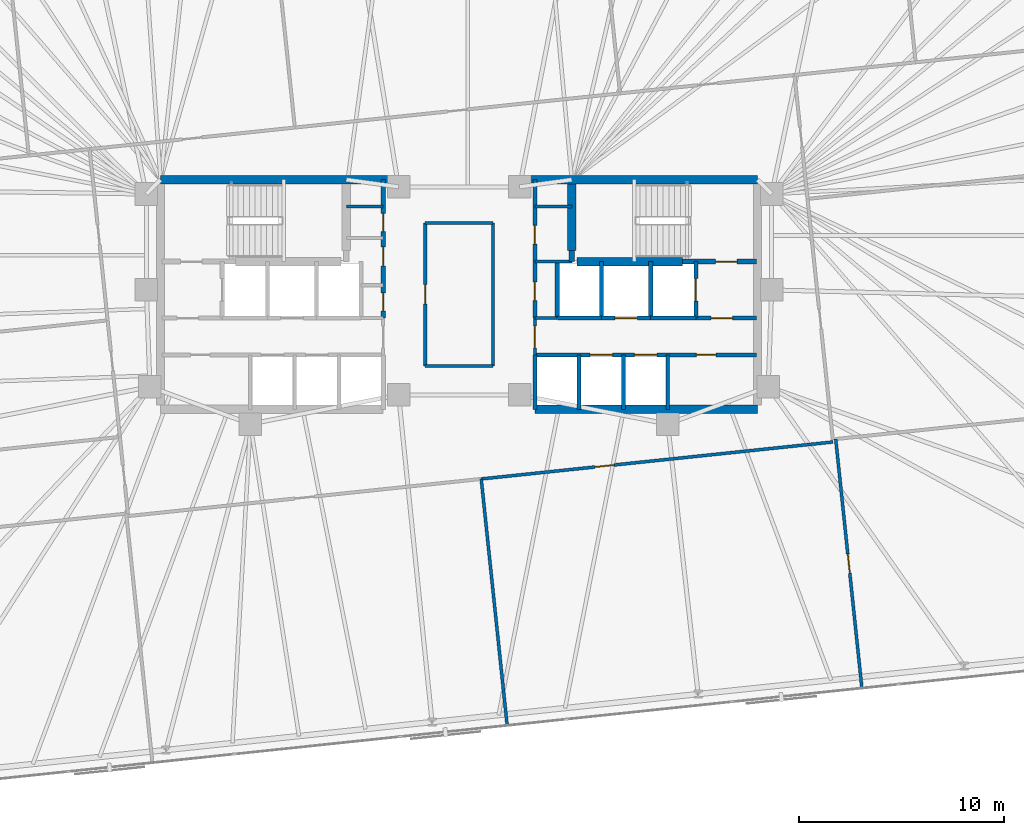
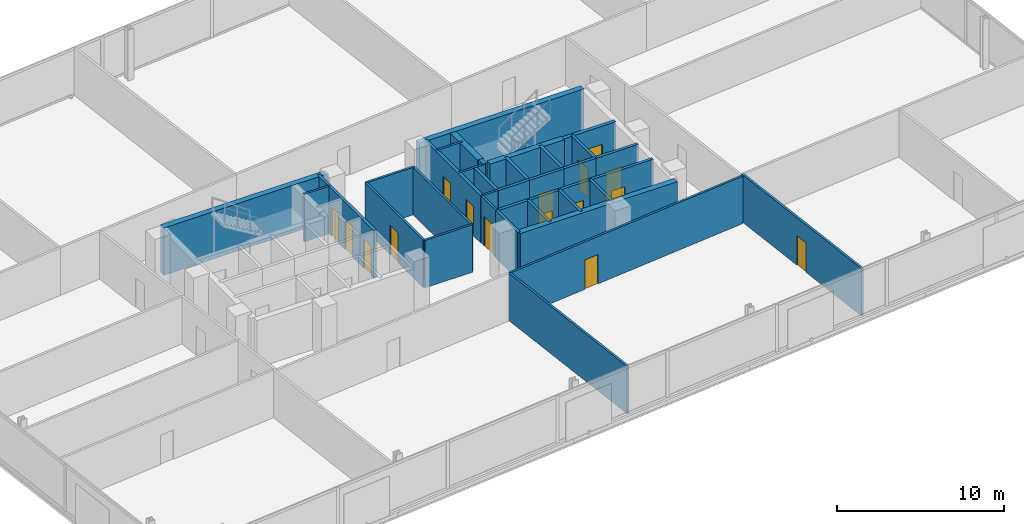
# One storey, part 15 of 18: 34 walls, 16 doors, 16 openings.
"""IFC4 building model written with IfcOpenShell, lengths in metres."""

from ifc_helpers import new_model, si_unit, direction, frame, frame_2d, origin, place, context, subcontext, project, spatial, rectangle, extrude, material, layer, layer_set, type_object, element, fill, save


model = new_model("IFC4")

# Units and contexts
model_context = context("Model", 3, precision=1e-05, world=origin(), true_north=direction((0.0, 1.0)))
body_context = subcontext(model_context, "Body", "Model", "MODEL_VIEW")
ifc_project = project(units=[si_unit("LENGTHUNIT", "METRE"), si_unit("AREAUNIT", "SQUARE_METRE"), si_unit("VOLUMEUNIT", "CUBIC_METRE"), si_unit("PLANEANGLEUNIT", "RADIAN"), si_unit("MASSUNIT", "GRAM", prefix="KILO")], contexts=[model_context])

# Site, building, storey
site_placement = place(None, origin())
site = spatial("IfcSite", under=ifc_project, at=site_placement, CompositionType="ELEMENT")
building_placement = place(site_placement, origin())
building = spatial("IfcBuilding", under=site, at=building_placement, Name="Menara Jurai Vektor", CompositionType="ELEMENT")
storey_placement = place(building_placement, frame((0.0, 0.0, 117.0)))
storey = spatial("IfcBuildingStorey", under=building, at=storey_placement, Name="L29", CompositionType="ELEMENT", Elevation=117.0)

# Wall, opening, door
ifc_material_1 = material(Name="Concrete C40/50", Category="concrete")
ifc_layer_1 = layer(ifc_material_1, 0.25)
ifc_layer_set_1 = layer_set([ifc_layer_1], Name="Concrete C40/50")
wall_type_1 = type_object("IfcWallType", Name="INT-WALL-CORE-250", PredefinedType="STANDARD", material=ifc_layer_set_1)
wall_1_placement = place(storey_placement, frame((10.89990234375, 1.60009765625, 0.0), z_axis=(0.0, 0.0, 1.0), x_axis=(1.0, 0.0, 0.0)))
wall_1 = element("IfcWall", 1, at=wall_1_placement, inside=storey, type_object=wall_type_1, Name="Interior Wall IW-250 L29", PredefinedType="STANDARD", context=body_context, shape_type="SweptSolid", body=[
    extrude(rectangle(XDim=3.60009765625, YDim=0.25, at=frame_2d((1.800048828125, 0.0))), origin(), (0.0, 0.0, 1.0), 3.47509765625),
])
opening_1_placement = place(wall_1_placement, frame((1.6201171875, 0.0, 0.0)))
opening_1 = element("IfcOpeningElement", 2, at=opening_1_placement, cuts=wall_1, Name="Opening D-L29-ST2", PredefinedType="OPENING", context=body_context, shape_type="SweptSolid", body=[
    extrude(rectangle(XDim=1.050048828125, YDim=2.14990234375, at=frame_2d((0.52490234375, 1.074951171875))), frame((0.0, 0.135009765625, 0.0), z_axis=(0.0, -1.0, 0.0), x_axis=(1.0, 0.0, 0.0)), (0.0, 0.0, 1.0), 0.27001953125),
])
ifc_material_2 = material(Name="Fire-Rated Steel Door", Category="steel")
door_type_1 = type_object("IfcDoorType", Name="DR-STAIR-1050", OperationType="NOTDEFINED", PredefinedType="DOOR", material=ifc_material_2)
door_1_placement = place(opening_1_placement, origin())
door_1 = element("IfcDoor", 3, at=door_1_placement, inside=storey, type_object=door_type_1, Name="Exit Stair ST2 Door L29", OperationType="SINGLE_SWING_LEFT", OverallHeight=2.14990234375, OverallWidth=1.050048828125, PredefinedType="DOOR", context=body_context, shape_type="SweptSolid", body=[
    extrude(rectangle(XDim=1.050048828125, YDim=2.14990234375, at=frame_2d((0.52490234375, 1.074951171875))), frame((0.0, 0.02490234375, 0.0), z_axis=(0.0, -1.0, 0.0), x_axis=(1.0, 0.0, 0.0)), (0.0, 0.0, 1.0), 0.050048828125),
])
fill(opening_1, door_1)

# Wall
wall_2_placement = place(storey_placement, frame((5.5, 1.60009765625, 0.0), z_axis=(0.0, 0.0, 1.0), x_axis=(0.0, 1.0, 0.0)))
element("IfcWall", 4, at=wall_2_placement, inside=storey, type_object=wall_type_1, Name="Interior Wall IW-250 L29", PredefinedType="STANDARD", context=body_context, shape_type="SweptSolid", body=[
    extrude(rectangle(XDim=0.5498046875, YDim=0.25, at=frame_2d((0.27490234375, 0.0))), origin(), (0.0, 0.0, 1.0), 3.47509765625),
])

# Wall, opening, door
wall_3_placement = place(storey_placement, frame((11.550048828125, -1.14990234375, 0.0), z_axis=(0.0, 0.0, 1.0), x_axis=(0.0, 1.0, 0.0)))
wall_3 = element("IfcWall", 5, at=wall_3_placement, inside=storey, type_object=wall_type_1, Name="Interior Wall IW-250 L29", PredefinedType="STANDARD", context=body_context, shape_type="SweptSolid", body=[
    extrude(rectangle(XDim=2.75, YDim=0.199951171875, at=frame_2d((1.375, 0.0))), origin(), (0.0, 0.0, 1.0), 3.47509765625),
])
opening_2_placement = place(wall_3_placement, frame((0.824951171875, 0.0, 0.0)))
opening_2 = element("IfcOpeningElement", 6, at=opening_2_placement, cuts=wall_3, Name="Opening LD-L29-FL2", PredefinedType="OPENING", context=body_context, shape_type="SweptSolid", body=[
    extrude(rectangle(XDim=1.10009765625, YDim=2.14990234375, at=frame_2d((0.550048828125, 1.074951171875))), frame((0.0, 0.10986328125, 0.0), z_axis=(0.0, -1.0, 0.0), x_axis=(1.0, 0.0, 0.0)), (0.0, 0.0, 1.0), 0.219970703125),
])
ifc_material_3 = material(Name="Stainless Steel Sliding Lift Landing Door", Category="steel")
door_type_2 = type_object("IfcDoorType", Name="DR-LIFT-FIRE-1100", OperationType="NOTDEFINED", PredefinedType="DOOR", material=ifc_material_3)
door_2_placement = place(opening_2_placement, origin())
door_2 = element("IfcDoor", 7, at=door_2_placement, inside=storey, type_object=door_type_2, Name="Lift Landing Door FL2 L29", OperationType="SLIDING_TO_RIGHT", OverallHeight=2.14990234375, OverallWidth=1.10009765625, PredefinedType="DOOR", context=body_context, shape_type="SweptSolid", body=[
    extrude(rectangle(XDim=1.10009765625, YDim=2.14990234375, at=frame_2d((0.550048828125, 1.074951171875))), frame((0.0, 0.02490234375, 0.0), z_axis=(0.0, -1.0, 0.0), x_axis=(1.0, 0.0, 0.0)), (0.0, 0.0, 1.0), 0.050048828125),
])
fill(opening_2, door_2)

# Wall
wall_4_placement = place(storey_placement, frame((9.35009765625, -1.14990234375, 0.0), z_axis=(0.0, 0.0, 1.0), x_axis=(0.0, 1.0, 0.0)))
element("IfcWall", 8, at=wall_4_placement, inside=storey, type_object=wall_type_1, Name="Interior Wall IW-250 L29", PredefinedType="STANDARD", context=body_context, shape_type="SweptSolid", body=[
    extrude(rectangle(XDim=2.75, YDim=0.199951171875, at=frame_2d((1.375, 0.0))), origin(), (0.0, 0.0, 1.0), 3.47509765625),
])

# Wall, opening, door
wall_5_placement = place(storey_placement, frame((11.550048828125, -1.14990234375, 0.0), z_axis=(0.0, 0.0, 1.0), x_axis=(1.0, 0.0, 0.0)))
wall_5 = element("IfcWall", 9, at=wall_5_placement, inside=storey, type_object=wall_type_1, Name="Interior Wall IW-250 L29", PredefinedType="STANDARD", context=body_context, shape_type="SweptSolid", body=[
    extrude(rectangle(XDim=2.949951171875, YDim=0.199951171875, at=frame_2d((1.47509765625, 0.0))), origin(), (0.0, 0.0, 1.0), 3.47509765625),
])
opening_3_placement = place(wall_5_placement, frame((0.75, 0.0, 0.0)))
opening_3 = element("IfcOpeningElement", 10, at=opening_3_placement, cuts=wall_5, Name="Opening D-L29-FFE", PredefinedType="OPENING", context=body_context, shape_type="SweptSolid", body=[
    extrude(rectangle(XDim=1.050048828125, YDim=2.179931640625, at=frame_2d((0.52490234375, 1.08984375))), frame((0.0, 0.10986328125, 0.0), z_axis=(0.0, -1.0, 0.0), x_axis=(1.0, 0.0, 0.0)), (0.0, 0.0, 1.0), 0.219970703125),
])
ifc_material_4 = material(Name="Fire-Rated Timber Door", Category="wood")
door_type_3 = type_object("IfcDoorType", Name="DR-LOBBY-1050", OperationType="NOTDEFINED", PredefinedType="DOOR", material=ifc_material_4)
door_3_placement = place(opening_3_placement, origin())
door_3 = element("IfcDoor", 11, at=door_3_placement, inside=storey, type_object=door_type_3, Name="Fire Lift Lobby Door E L29", OperationType="SINGLE_SWING_LEFT", OverallHeight=2.179931640625, OverallWidth=1.050048828125, PredefinedType="DOOR", context=body_context, shape_type="SweptSolid", body=[
    extrude(rectangle(XDim=1.050048828125, YDim=2.179931640625, at=frame_2d((0.52490234375, 1.08984375))), frame((0.0, 0.02490234375, 0.0), z_axis=(0.0, -1.0, 0.0), x_axis=(1.0, 0.0, 0.0)), (0.0, 0.0, 1.0), 0.050048828125),
])
fill(opening_3, door_3)

# Wall
wall_6_placement = place(storey_placement, frame((9.35009765625, -1.14990234375, 0.0), z_axis=(0.0, 0.0, 1.0), x_axis=(1.0, 0.0, 0.0)))
element("IfcWall", 12, at=wall_6_placement, inside=storey, type_object=wall_type_1, Name="Interior Wall IW-250 L29", PredefinedType="STANDARD", context=body_context, shape_type="SweptSolid", body=[
    extrude(rectangle(XDim=2.199951171875, YDim=0.199951171875, at=frame_2d((1.10009765625, 0.0))), origin(), (0.0, 0.0, 1.0), 3.47509765625),
])

# Wall, opening, door
ifc_material_5 = material(Name="Gypsum Fireboard Partition", Category="gypsum")
ifc_layer_2 = layer(ifc_material_5, 0.14990234375)
ifc_layer_set_2 = layer_set([ifc_layer_2], Name="Gypsum Fireboard Partition")
wall_type_2 = type_object("IfcWallType", Name="INT-WALL-CORR-150", PredefinedType="PARTITIONING", material=ifc_layer_set_2)
wall_7_placement = place(storey_placement, frame((3.699951171875, -2.949951171875, 0.0), z_axis=(0.0, 0.0, 1.0), x_axis=(0.0, 1.0, 0.0)))
wall_7 = element("IfcWall", 13, at=wall_7_placement, inside=storey, type_object=wall_type_2, Name="Interior Wall IW-150 L29", PredefinedType="PARTITIONING", context=body_context, shape_type="SweptSolid", body=[
    extrude(rectangle(XDim=1.800048828125, YDim=0.14990234375, at=frame_2d((0.89990234375, 0.0))), origin(), (0.0, 0.0, 1.0), 3.47509765625),
])
opening_4_placement = place(wall_7_placement, frame((0.35009765625, 0.0, 0.0)))
opening_4 = element("IfcOpeningElement", 14, at=opening_4_placement, cuts=wall_7, Name="Opening D-L29-LLE", PredefinedType="OPENING", context=body_context, shape_type="SweptSolid", body=[
    extrude(rectangle(XDim=1.050048828125, YDim=2.179931640625, at=frame_2d((0.52490234375, 1.08984375))), frame((0.0, 0.0849609375, 0.0), z_axis=(0.0, -1.0, 0.0), x_axis=(1.0, 0.0, 0.0)), (0.0, 0.0, 1.0), 0.169921875),
])
door_4_placement = place(opening_4_placement, frame((1.050048828125, 0.0, 0.0), z_axis=(0.0, 0.0, 1.0), x_axis=(-1.0, 0.0, 0.0)))
door_4 = element("IfcDoor", 15, at=door_4_placement, inside=storey, type_object=door_type_3, Name="Lift Lobby Corridor Door E L29", OperationType="SINGLE_SWING_RIGHT", OverallHeight=2.179931640625, OverallWidth=1.050048828125, PredefinedType="DOOR", context=body_context, shape_type="SweptSolid", body=[
    extrude(rectangle(XDim=1.050048828125, YDim=2.179931640625, at=frame_2d((0.52490234375, 1.08984375))), frame((0.0, 0.02490234375, 0.0), z_axis=(0.0, -1.0, 0.0), x_axis=(1.0, 0.0, 0.0)), (0.0, 0.0, 1.0), 0.050048828125),
])
fill(opening_4, door_4)

# Walls
wall_8_placement = place(storey_placement, frame((3.699951171875, -1.14990234375, 0.0), z_axis=(0.0, 0.0, 1.0), x_axis=(1.0, 0.0, 0.0)))
element("IfcWall", 16, at=wall_8_placement, inside=storey, type_object=wall_type_2, Name="Interior Wall IW-150 L29", PredefinedType="PARTITIONING", context=body_context, shape_type="SweptSolid", body=[
    extrude(rectangle(XDim=1.090087890625, YDim=0.14990234375, at=frame_2d((0.544921875, 0.0))), origin(), (0.0, 0.0, 1.0), 3.47509765625),
])
for number, where, z_axis, x_axis, name in (
    (17, (-5.5, 4.300048828125, 0.0), (0.0, 0.0, 1.0), (1.0, 0.0, 0.0), "Interior Wall IW-150 L29"),
    (18, (3.699951171875, 4.300048828125, 0.0), (0.0, 0.0, 1.0), (1.0, 0.0, 0.0), "Interior Wall IW-150 L29"),
    (19, (3.699951171875, 1.60009765625, 0.0), (0.0, 0.0, 1.0), (1.0, 0.0, 0.0), "Interior Wall IW-150 L29"),
):
    element("IfcWall", number, at=place(storey_placement, frame(where, z_axis=z_axis, x_axis=x_axis)), inside=storey, type_object=wall_type_2, Name=name, PredefinedType="PARTITIONING", context=body_context, shape_type="SweptSolid", body=[
        extrude(rectangle(XDim=1.800048828125, YDim=0.14990234375, at=frame_2d((0.89990234375, 0.0))), origin(), (0.0, 0.0, 1.0), 3.47509765625),
    ])

# Wall, opening, door
wall_9_placement = place(storey_placement, frame((-1.649658203125, -3.490478515625, 0.0), z_axis=(0.0, 0.0, 1.0), x_axis=(-0.000104928124, 0.999999994495, 0.0)))
wall_9 = element("IfcWall", 20, at=wall_9_placement, inside=storey, type_object=wall_type_2, Name="Interior Wall IW-150 L29", PredefinedType="PARTITIONING", context=body_context, shape_type="SweptSolid", body=[
    extrude(rectangle(XDim=6.980224609375, YDim=0.14990234375, at=frame_2d((3.490234375, 0.0))), origin(), (0.0, 0.0, 1.0), 3.47509765625),
])
opening_5_placement = place(wall_9_placement, frame((3.01513671875, 0.0, 0.0)))
opening_5 = element("IfcOpeningElement", 21, at=opening_5_placement, cuts=wall_9, Name="Opening D29-08", PredefinedType="OPENING", context=body_context, shape_type="SweptSolid", body=[
    extrude(rectangle(XDim=0.949951171875, YDim=2.14990234375, at=frame_2d((0.47509765625, 1.074951171875))), frame((0.0, 0.0849609375, 0.0), z_axis=(0.0, -1.0, 0.0), x_axis=(1.0, 0.0, 0.0)), (0.0, 0.0, 1.0), 0.169921875),
])
ifc_material_6 = material(Name="Solid Core Timber Fire Door", Category="wood")
door_type_4 = type_object("IfcDoorType", Name="DR-ENTRY-950", OperationType="NOTDEFINED", PredefinedType="DOOR", material=ifc_material_6)
door_5_placement = place(opening_5_placement, origin())
door_5 = element("IfcDoor", 22, at=door_5_placement, inside=storey, type_object=door_type_4, Name="Interior Door D29-08", OperationType="SINGLE_SWING_LEFT", OverallHeight=2.14990234375, OverallWidth=0.949951171875, PredefinedType="DOOR", context=body_context, shape_type="SweptSolid", body=[
    extrude(rectangle(XDim=0.949951171875, YDim=2.14990234375, at=frame_2d((0.47509765625, 1.074951171875))), frame((0.0, 0.02490234375, 0.0), z_axis=(0.0, -1.0, 0.0), x_axis=(1.0, 0.0, 0.0)), (0.0, 0.0, 1.0), 0.050048828125),
])
fill(opening_5, door_5)

# Walls
wall_10_placement = place(storey_placement, frame((-1.649658203125, -3.490478515625, 0.0), z_axis=(0.0, 0.0, 1.0), x_axis=(1.0, 0.0, 0.0)))
element("IfcWall", 23, at=wall_10_placement, inside=storey, type_object=wall_type_2, Name="Interior Wall IW-150 L29", PredefinedType="PARTITIONING", context=body_context, shape_type="SweptSolid", body=[
    extrude(rectangle(XDim=3.300048828125, YDim=0.14990234375, at=frame_2d((1.64990234375, 0.0))), origin(), (0.0, 0.0, 1.0), 3.47509765625),
])
wall_11_placement = place(storey_placement, frame((-1.650390625, 3.48974609375, 0.0), z_axis=(0.0, 0.0, 1.0), x_axis=(1.0, 0.0, 0.0)))
element("IfcWall", 24, at=wall_11_placement, inside=storey, type_object=wall_type_2, Name="Interior Wall IW-150 L29", PredefinedType="PARTITIONING", context=body_context, shape_type="SweptSolid", body=[
    extrude(rectangle(XDim=3.30029296875, YDim=0.14990234375, at=frame_2d((1.650146484375, 0.0))), origin(), (0.0, 0.0, 1.0), 3.47509765625),
])
wall_12_placement = place(storey_placement, frame((1.650390625, -3.490478515625, 0.0), z_axis=(0.0, 0.0, 1.0), x_axis=(-6.9952083e-05, 0.999999997553, 0.0)))
element("IfcWall", 25, at=wall_12_placement, inside=storey, type_object=wall_type_2, Name="Interior Wall IW-150 L29", PredefinedType="PARTITIONING", context=body_context, shape_type="SweptSolid", body=[
    extrude(rectangle(XDim=6.980224609375, YDim=0.14990234375, at=frame_2d((3.490234375, 0.0))), origin(), (0.0, 0.0, 1.0), 3.47509765625),
])

# Wall, opening, door
wall_13_placement = place(storey_placement, frame((1.08203125, -8.9990234375, 0.0), z_axis=(0.0, 0.0, 1.0), x_axis=(0.994522803526, 0.104519822363, 0.0)))
wall_13 = element("IfcWall", 26, at=wall_13_placement, inside=storey, type_object=wall_type_2, Name="Interior Wall IW-150 L29", PredefinedType="PARTITIONING", context=body_context, shape_type="SweptSolid", body=[
    extrude(rectangle(XDim=17.257080078125, YDim=0.14990234375, at=frame_2d((8.62841796875, 0.0))), origin(), (0.0, 0.0, 1.0), 3.47509765625),
])
opening_6_placement = place(wall_13_placement, frame((5.56494140625, 0.0, 0.0)))
opening_6 = element("IfcOpeningElement", 27, at=opening_6_placement, cuts=wall_13, Name="Opening D29-13", PredefinedType="OPENING", context=body_context, shape_type="SweptSolid", body=[
    extrude(rectangle(XDim=0.949951171875, YDim=2.14990234375, at=frame_2d((0.47509765625, 1.074951171875))), frame((0.0, 0.0849609375, 0.0), z_axis=(0.0, -1.0, 0.0), x_axis=(1.0, 0.0, 0.0)), (0.0, 0.0, 1.0), 0.169921875),
])
door_6_placement = place(opening_6_placement, origin())
door_6 = element("IfcDoor", 28, at=door_6_placement, inside=storey, type_object=door_type_4, Name="Interior Door D29-13", OperationType="SINGLE_SWING_RIGHT", OverallHeight=2.14990234375, OverallWidth=0.949951171875, PredefinedType="DOOR", context=body_context, shape_type="SweptSolid", body=[
    extrude(rectangle(XDim=0.949951171875, YDim=2.14990234375, at=frame_2d((0.47509765625, 1.074951171875))), frame((0.0, 0.02490234375, 0.0), z_axis=(0.0, -1.0, 0.0), x_axis=(1.0, 0.0, 0.0)), (0.0, 0.0, 1.0), 0.050048828125),
])
fill(opening_6, door_6)

# Wall
wall_14_placement = place(storey_placement, frame((2.34619140625, -21.02587890625, 0.0), z_axis=(0.0, 0.0, 1.0), x_axis=(-0.104535555083, 0.994521149963, 0.0)))
element("IfcWall", 29, at=wall_14_placement, inside=storey, type_object=wall_type_2, Name="Interior Wall IW-150 L29", PredefinedType="PARTITIONING", context=body_context, shape_type="SweptSolid", body=[
    extrude(rectangle(XDim=12.093017578125, YDim=0.14990234375, at=frame_2d((6.04638671875, 0.0))), origin(), (0.0, 0.0, 1.0), 3.47509765625),
])

# Wall, opening, door
wall_15_placement = place(storey_placement, frame((19.65087890625, -19.20703125, 0.0), z_axis=(0.0, 0.0, 1.0), x_axis=(-0.104540236679, 0.994520657862, 0.0)))
wall_15 = element("IfcWall", 30, at=wall_15_placement, inside=storey, type_object=wall_type_2, Name="Interior Wall IW-150 L29", PredefinedType="PARTITIONING", context=body_context, shape_type="SweptSolid", body=[
    extrude(rectangle(XDim=12.220947265625, YDim=0.14990234375, at=frame_2d((6.1103515625, 0.0))), origin(), (0.0, 0.0, 1.0), 3.47509765625),
])
opening_7_placement = place(wall_15_placement, frame((5.635498046875, 0.0, 0.0)))
opening_7 = element("IfcOpeningElement", 31, at=opening_7_placement, cuts=wall_15, Name="Opening D29-22", PredefinedType="OPENING", context=body_context, shape_type="SweptSolid", body=[
    extrude(rectangle(XDim=0.949951171875, YDim=2.14990234375, at=frame_2d((0.47509765625, 1.074951171875))), frame((0.0, 0.0849609375, 0.0), z_axis=(0.0, -1.0, 0.0), x_axis=(1.0, 0.0, 0.0)), (0.0, 0.0, 1.0), 0.169921875),
])
door_7_placement = place(opening_7_placement, origin())
door_7 = element("IfcDoor", 32, at=door_7_placement, inside=storey, type_object=door_type_4, Name="Interior Door D29-22", OperationType="SINGLE_SWING_LEFT", OverallHeight=2.14990234375, OverallWidth=0.949951171875, PredefinedType="DOOR", context=body_context, shape_type="SweptSolid", body=[
    extrude(rectangle(XDim=0.949951171875, YDim=2.14990234375, at=frame_2d((0.47509765625, 1.074951171875))), frame((0.0, 0.02490234375, 0.0), z_axis=(0.0, -1.0, 0.0), x_axis=(1.0, 0.0, 0.0)), (0.0, 0.0, 1.0), 0.050048828125),
])
fill(opening_7, door_7)

# Wall, openings, doors
ifc_layer_3 = layer(ifc_material_1, 0.199951171875)
ifc_layer_set_3 = layer_set([ifc_layer_3], Name="Concrete C40/50")
wall_type_3 = type_object("IfcWallType", Name="INT-WALL-SHAFT-200", PredefinedType="STANDARD", material=ifc_layer_set_3)
wall_16_placement = place(storey_placement, frame((-3.699951171875, -1.14990234375, 0.0), z_axis=(0.0, 0.0, 1.0), x_axis=(0.0, 1.0, 0.0)))
wall_16 = element("IfcWall", 33, at=wall_16_placement, inside=storey, type_object=wall_type_3, Name="Interior Wall IW-200 L29", PredefinedType="STANDARD", context=body_context, shape_type="SweptSolid", body=[
    extrude(rectangle(XDim=6.75, YDim=0.199951171875, at=frame_2d((3.375, 0.0))), origin(), (0.0, 0.0, 1.0), 3.47509765625),
])
opening_8_placement = place(wall_16_placement, frame((0.35009765625, 0.0, 0.0)))
opening_8 = element("IfcOpeningElement", 34, at=opening_8_placement, cuts=wall_16, Name="Opening D29-02", PredefinedType="OPENING", context=body_context, shape_type="SweptSolid", body=[
    extrude(rectangle(XDim=0.8798828125, YDim=2.14990234375, at=frame_2d((0.43994140625, 1.074951171875))), frame((0.0, 0.10986328125, 0.0), z_axis=(0.0, -1.0, 0.0), x_axis=(1.0, 0.0, 0.0)), (0.0, 0.0, 1.0), 0.219970703125),
])
opening_9_placement = place(wall_16_placement, frame((2.550048828125, 0.0, 0.0)))
opening_9 = element("IfcOpeningElement", 35, at=opening_9_placement, cuts=wall_16, Name="Opening D29-03", PredefinedType="OPENING", context=body_context, shape_type="SweptSolid", body=[
    extrude(rectangle(XDim=0.919921875, YDim=2.14990234375, at=frame_2d((0.4599609375, 1.074951171875))), frame((0.0, 0.10986328125, 0.0), z_axis=(0.0, -1.0, 0.0), x_axis=(1.0, 0.0, 0.0)), (0.0, 0.0, 1.0), 0.219970703125),
])
opening_10_placement = place(wall_16_placement, frame((4.219970703125, 0.0, 0.0)))
opening_10 = element("IfcOpeningElement", 36, at=opening_10_placement, cuts=wall_16, Name="Opening D29-04", PredefinedType="OPENING", context=body_context, shape_type="SweptSolid", body=[
    extrude(rectangle(XDim=0.8798828125, YDim=2.14990234375, at=frame_2d((0.43994140625, 1.074951171875))), frame((0.0, 0.10986328125, 0.0), z_axis=(0.0, -1.0, 0.0), x_axis=(1.0, 0.0, 0.0)), (0.0, 0.0, 1.0), 0.219970703125),
])
door_8_placement = place(opening_8_placement, origin())
door_8 = element("IfcDoor", 37, at=door_8_placement, inside=storey, type_object=door_type_4, Name="Interior Door D29-02", OperationType="SINGLE_SWING_LEFT", OverallHeight=2.14990234375, OverallWidth=0.8798828125, PredefinedType="DOOR", context=body_context, shape_type="SweptSolid", body=[
    extrude(rectangle(XDim=0.8798828125, YDim=2.14990234375, at=frame_2d((0.43994140625, 1.074951171875))), frame((0.0, 0.02490234375, 0.0), z_axis=(0.0, -1.0, 0.0), x_axis=(1.0, 0.0, 0.0)), (0.0, 0.0, 1.0), 0.050048828125),
])
fill(opening_8, door_8)
door_9_placement = place(opening_9_placement, origin())
door_9 = element("IfcDoor", 38, at=door_9_placement, inside=storey, type_object=door_type_4, Name="Interior Door D29-03", OperationType="SINGLE_SWING_LEFT", OverallHeight=2.14990234375, OverallWidth=0.919921875, PredefinedType="DOOR", context=body_context, shape_type="SweptSolid", body=[
    extrude(rectangle(XDim=0.919921875, YDim=2.14990234375, at=frame_2d((0.4599609375, 1.074951171875))), frame((0.0, 0.02490234375, 0.0), z_axis=(0.0, -1.0, 0.0), x_axis=(1.0, 0.0, 0.0)), (0.0, 0.0, 1.0), 0.050048828125),
])
fill(opening_9, door_9)
door_10_placement = place(opening_10_placement, origin())
door_10 = element("IfcDoor", 39, at=door_10_placement, inside=storey, type_object=door_type_4, Name="Interior Door D29-04", OperationType="SINGLE_SWING_LEFT", OverallHeight=2.14990234375, OverallWidth=0.8798828125, PredefinedType="DOOR", context=body_context, shape_type="SweptSolid", body=[
    extrude(rectangle(XDim=0.8798828125, YDim=2.14990234375, at=frame_2d((0.43994140625, 1.074951171875))), frame((0.0, 0.02490234375, 0.0), z_axis=(0.0, -1.0, 0.0), x_axis=(1.0, 0.0, 0.0)), (0.0, 0.0, 1.0), 0.050048828125),
])
fill(opening_10, door_10)

wall_17_placement = place(storey_placement, frame((3.699951171875, -1.14990234375, 0.0), z_axis=(0.0, 0.0, 1.0), x_axis=(0.0, 1.0, 0.0)))
wall_17 = element("IfcWall", 40, at=wall_17_placement, inside=storey, type_object=wall_type_3, Name="Interior Wall IW-200 L29", PredefinedType="STANDARD", context=body_context, shape_type="SweptSolid", body=[
    extrude(rectangle(XDim=6.75, YDim=0.199951171875, at=frame_2d((3.375, 0.0))), origin(), (0.0, 0.0, 1.0), 3.47509765625),
])
opening_11_placement = place(wall_17_placement, frame((3.60009765625, 0.0, 0.0)))
opening_11 = element("IfcOpeningElement", 41, at=opening_11_placement, cuts=wall_17, Name="Opening D29-06", PredefinedType="OPENING", context=body_context, shape_type="SweptSolid", body=[
    extrude(rectangle(XDim=0.919921875, YDim=2.14990234375, at=frame_2d((0.4599609375, 1.074951171875))), frame((0.0, 0.10986328125, 0.0), z_axis=(0.0, -1.0, 0.0), x_axis=(1.0, 0.0, 0.0)), (0.0, 0.0, 1.0), 0.219970703125),
])
opening_12_placement = place(wall_17_placement, frame((0.85009765625, 0.0, 0.0)))
opening_12 = element("IfcOpeningElement", 42, at=opening_12_placement, cuts=wall_17, Name="Opening D29-07", PredefinedType="OPENING", context=body_context, shape_type="SweptSolid", body=[
    extrude(rectangle(XDim=0.89990234375, YDim=2.14990234375, at=frame_2d((0.449951171875, 1.074951171875))), frame((0.0, 0.10986328125, 0.0), z_axis=(0.0, -1.0, 0.0), x_axis=(1.0, 0.0, 0.0)), (0.0, 0.0, 1.0), 0.219970703125),
])
door_11_placement = place(opening_11_placement, origin())
door_11 = element("IfcDoor", 43, at=door_11_placement, inside=storey, type_object=door_type_4, Name="Interior Door D29-06", OperationType="SINGLE_SWING_RIGHT", OverallHeight=2.14990234375, OverallWidth=0.919921875, PredefinedType="DOOR", context=body_context, shape_type="SweptSolid", body=[
    extrude(rectangle(XDim=0.919921875, YDim=2.14990234375, at=frame_2d((0.4599609375, 1.074951171875))), frame((0.0, 0.02490234375, 0.0), z_axis=(0.0, -1.0, 0.0), x_axis=(1.0, 0.0, 0.0)), (0.0, 0.0, 1.0), 0.050048828125),
])
fill(opening_11, door_11)
door_12_placement = place(opening_12_placement, origin())
door_12 = element("IfcDoor", 44, at=door_12_placement, inside=storey, type_object=door_type_4, Name="Interior Door D29-07", OperationType="SINGLE_SWING_RIGHT", OverallHeight=2.14990234375, OverallWidth=0.89990234375, PredefinedType="DOOR", context=body_context, shape_type="SweptSolid", body=[
    extrude(rectangle(XDim=0.89990234375, YDim=2.14990234375, at=frame_2d((0.449951171875, 1.074951171875))), frame((0.0, 0.02490234375, 0.0), z_axis=(0.0, -1.0, 0.0), x_axis=(1.0, 0.0, 0.0)), (0.0, 0.0, 1.0), 0.050048828125),
])
fill(opening_12, door_12)

# Walls
wall_18_placement = place(storey_placement, frame((3.699951171875, -5.60009765625, 0.0), z_axis=(0.0, 0.0, 1.0), x_axis=(0.0, 1.0, 0.0)))
element("IfcWall", 45, at=wall_18_placement, inside=storey, type_object=wall_type_3, Name="Interior Wall IW-200 L29", PredefinedType="STANDARD", context=body_context, shape_type="SweptSolid", body=[
    extrude(rectangle(XDim=2.650146484375, YDim=0.199951171875, at=frame_2d((1.3251953125, 0.0))), origin(), (0.0, 0.0, 1.0), 3.47509765625),
])
wall_19_placement = place(storey_placement, frame((6.949951171875, -1.14990234375, 0.0), z_axis=(0.0, 0.0, 1.0), x_axis=(0.0, 1.0, 0.0)))
element("IfcWall", 46, at=wall_19_placement, inside=storey, type_object=wall_type_3, Name="Interior Wall IW-200 L29", PredefinedType="STANDARD", context=body_context, shape_type="SweptSolid", body=[
    extrude(rectangle(XDim=2.75, YDim=0.199951171875, at=frame_2d((1.375, 0.0))), origin(), (0.0, 0.0, 1.0), 3.47509765625),
])

# Wall, opening, door
wall_20_placement = place(storey_placement, frame((6.949951171875, -1.14990234375, 0.0), z_axis=(0.0, 0.0, 1.0), x_axis=(1.0, 0.0, 0.0)))
wall_20 = element("IfcWall", 47, at=wall_20_placement, inside=storey, type_object=wall_type_3, Name="Interior Wall IW-200 L29", PredefinedType="STANDARD", context=body_context, shape_type="SweptSolid", body=[
    extrude(rectangle(XDim=2.400146484375, YDim=0.199951171875, at=frame_2d((1.2001953125, 0.0))), origin(), (0.0, 0.0, 1.0), 3.47509765625),
])
opening_13_placement = place(wall_20_placement, frame((0.64990234375, 0.0, 0.0)))
opening_13 = element("IfcOpeningElement", 48, at=opening_13_placement, cuts=wall_20, Name="Opening LD-L29-SVL2", PredefinedType="OPENING", context=body_context, shape_type="SweptSolid", body=[
    extrude(rectangle(XDim=1.10009765625, YDim=2.14990234375, at=frame_2d((0.550048828125, 1.074951171875))), frame((0.0, 0.10986328125, 0.0), z_axis=(0.0, -1.0, 0.0), x_axis=(1.0, 0.0, 0.0)), (0.0, 0.0, 1.0), 0.219970703125),
])
ifc_material_7 = material(Name="Anodised Stainless Sliding Lift Landing Door", Category="steel")
door_type_5 = type_object("IfcDoorType", Name="DR-LIFT-PASS-1100", OperationType="NOTDEFINED", PredefinedType="DOOR", material=ifc_material_7)
door_13_placement = place(opening_13_placement, origin())
door_13 = element("IfcDoor", 49, at=door_13_placement, inside=storey, type_object=door_type_5, Name="Lift Landing Door SVL2 L29", OperationType="SLIDING_TO_RIGHT", OverallHeight=2.14990234375, OverallWidth=1.10009765625, PredefinedType="DOOR", context=body_context, shape_type="SweptSolid", body=[
    extrude(rectangle(XDim=1.10009765625, YDim=2.14990234375, at=frame_2d((0.550048828125, 1.074951171875))), frame((0.0, 0.02490234375, 0.0), z_axis=(0.0, -1.0, 0.0), x_axis=(1.0, 0.0, 0.0)), (0.0, 0.0, 1.0), 0.050048828125),
])
fill(opening_13, door_13)

# Walls
wall_21_placement = place(storey_placement, frame((4.7900390625, -1.14990234375, 0.0), z_axis=(0.0, 0.0, 1.0), x_axis=(0.0, 1.0, 0.0)))
element("IfcWall", 50, at=wall_21_placement, inside=storey, type_object=wall_type_3, Name="Interior Wall IW-200 L29", PredefinedType="STANDARD", context=body_context, shape_type="SweptSolid", body=[
    extrude(rectangle(XDim=2.75, YDim=0.199951171875, at=frame_2d((1.375, 0.0))), origin(), (0.0, 0.0, 1.0), 3.47509765625),
])
wall_22_placement = place(storey_placement, frame((4.7900390625, -1.14990234375, 0.0), z_axis=(0.0, 0.0, 1.0), x_axis=(1.0, 0.0, 0.0)))
element("IfcWall", 51, at=wall_22_placement, inside=storey, type_object=wall_type_3, Name="Interior Wall IW-200 L29", PredefinedType="STANDARD", context=body_context, shape_type="SweptSolid", body=[
    extrude(rectangle(XDim=2.159912109375, YDim=0.199951171875, at=frame_2d((1.080078125, 0.0))), origin(), (0.0, 0.0, 1.0), 3.47509765625),
])

# Wall, openings, doors
wall_23_placement = place(storey_placement, frame((3.699951171875, -2.949951171875, 0.0), z_axis=(0.0, 0.0, 1.0), x_axis=(1.0, 0.0, 0.0)))
wall_23 = element("IfcWall", 52, at=wall_23_placement, inside=storey, type_object=wall_type_3, Name="Interior Wall IW-200 L29", PredefinedType="STANDARD", context=body_context, shape_type="SweptSolid", body=[
    extrude(rectangle(XDim=10.800048828125, YDim=0.199951171875, at=frame_2d((5.39990234375, 0.0))), origin(), (0.0, 0.0, 1.0), 3.47509765625),
])
opening_14_placement = place(wall_23_placement, frame((2.68994140625, 0.0, 0.0)))
opening_14 = element("IfcOpeningElement", 53, at=opening_14_placement, cuts=wall_23, Name="Opening LD-L29-PM3", PredefinedType="OPENING", context=body_context, shape_type="SweptSolid", body=[
    extrude(rectangle(XDim=1.10009765625, YDim=2.14990234375, at=frame_2d((0.550048828125, 1.074951171875))), frame((0.0, 0.10986328125, 0.0), z_axis=(0.0, -1.0, 0.0), x_axis=(1.0, 0.0, 0.0)), (0.0, 0.0, 1.0), 0.219970703125),
])
opening_15_placement = place(wall_23_placement, frame((4.85009765625, 0.0, 0.0)))
opening_15 = element("IfcOpeningElement", 54, at=opening_15_placement, cuts=wall_23, Name="Opening LD-L29-PM4", PredefinedType="OPENING", context=body_context, shape_type="SweptSolid", body=[
    extrude(rectangle(XDim=1.10009765625, YDim=2.14990234375, at=frame_2d((0.550048828125, 1.074951171875))), frame((0.0, 0.10986328125, 0.0), z_axis=(0.0, -1.0, 0.0), x_axis=(1.0, 0.0, 0.0)), (0.0, 0.0, 1.0), 0.219970703125),
])
opening_16_placement = place(wall_23_placement, frame((7.8798828125, 0.0, 0.0)))
opening_16 = element("IfcOpeningElement", 55, at=opening_16_placement, cuts=wall_23, Name="Opening D29-05", PredefinedType="OPENING", context=body_context, shape_type="SweptSolid", body=[
    extrude(rectangle(XDim=0.949951171875, YDim=2.14990234375, at=frame_2d((0.47509765625, 1.074951171875))), frame((0.0, 0.10986328125, 0.0), z_axis=(0.0, -1.0, 0.0), x_axis=(1.0, 0.0, 0.0)), (0.0, 0.0, 1.0), 0.219970703125),
])
door_14_placement = place(opening_16_placement, origin())
door_14 = element("IfcDoor", 56, at=door_14_placement, inside=storey, type_object=door_type_4, Name="Interior Door D29-05", OperationType="SINGLE_SWING_LEFT", OverallHeight=2.14990234375, OverallWidth=0.949951171875, PredefinedType="DOOR", context=body_context, shape_type="SweptSolid", body=[
    extrude(rectangle(XDim=0.949951171875, YDim=2.14990234375, at=frame_2d((0.47509765625, 1.074951171875))), frame((0.0, 0.02490234375, 0.0), z_axis=(0.0, -1.0, 0.0), x_axis=(1.0, 0.0, 0.0)), (0.0, 0.0, 1.0), 0.050048828125),
])
fill(opening_16, door_14)
door_15_placement = place(opening_14_placement, origin())
door_15 = element("IfcDoor", 57, at=door_15_placement, inside=storey, type_object=door_type_5, Name="Lift Landing Door PM3 L29", OperationType="SLIDING_TO_LEFT", OverallHeight=2.14990234375, OverallWidth=1.10009765625, PredefinedType="DOOR", context=body_context, shape_type="SweptSolid", body=[
    extrude(rectangle(XDim=1.10009765625, YDim=2.14990234375, at=frame_2d((0.550048828125, 1.074951171875))), frame((0.0, 0.02490234375, 0.0), z_axis=(0.0, -1.0, 0.0), x_axis=(1.0, 0.0, 0.0)), (0.0, 0.0, 1.0), 0.050048828125),
])
fill(opening_14, door_15)
door_16_placement = place(opening_15_placement, origin())
door_16 = element("IfcDoor", 58, at=door_16_placement, inside=storey, type_object=door_type_5, Name="Lift Landing Door PM4 L29", OperationType="SLIDING_TO_RIGHT", OverallHeight=2.14990234375, OverallWidth=1.10009765625, PredefinedType="DOOR", context=body_context, shape_type="SweptSolid", body=[
    extrude(rectangle(XDim=1.10009765625, YDim=2.14990234375, at=frame_2d((0.550048828125, 1.074951171875))), frame((0.0, 0.02490234375, 0.0), z_axis=(0.0, -1.0, 0.0), x_axis=(1.0, 0.0, 0.0)), (0.0, 0.0, 1.0), 0.050048828125),
])
fill(opening_15, door_16)

# Walls
wall_24_placement = place(storey_placement, frame((5.860107421875, -5.60009765625, 0.0), z_axis=(0.0, 0.0, 1.0), x_axis=(0.0, 1.0, 0.0)))
element("IfcWall", 59, at=wall_24_placement, inside=storey, type_object=wall_type_3, Name="Interior Wall IW-200 L29", PredefinedType="STANDARD", context=body_context, shape_type="SweptSolid", body=[
    extrude(rectangle(XDim=2.650146484375, YDim=0.199951171875, at=frame_2d((1.3251953125, 0.0))), origin(), (0.0, 0.0, 1.0), 3.47509765625),
])
for number, where, z_axis, x_axis, name in (
    (60, (10.179931640625, -5.60009765625, 0.0), (0.0, 0.0, 1.0), (0.0, 1.0, 0.0), "Interior Wall IW-200 L29"),
    (61, (8.02001953125, -5.60009765625, 0.0), (0.0, 0.0, 1.0), (0.0, 1.0, 0.0), "Interior Wall IW-200 L29"),
):
    element("IfcWall", number, at=place(storey_placement, frame(where, z_axis=z_axis, x_axis=x_axis)), inside=storey, type_object=wall_type_3, Name=name, PredefinedType="STANDARD", context=body_context, shape_type="SweptSolid", body=[
        extrude(rectangle(XDim=2.650146484375, YDim=0.179931640625, at=frame_2d((1.3251953125, 0.0))), origin(), (0.0, 0.0, 1.0), 3.47509765625),
    ])
ifc_material_8 = material(Name="Concrete C50/60", Category="concrete")
ifc_layer_4 = layer(ifc_material_8, 0.39990234375)
ifc_layer_set_4 = layer_set([ifc_layer_4], Name="Concrete C50/60")
wall_type_4 = type_object("IfcWallType", Name="STR-WALL-CORE400", PredefinedType="SHEAR", material=ifc_layer_set_4)
for number, where, z_axis, x_axis, name in (
    (62, (-14.56005859375, 5.60009765625, 0.0), (0.0, 0.0, 1.0), (1.0, 0.0, 0.0), "Core Shear Wall CW-W-N L29"),
    (63, (3.14990234375, 5.60009765625, 0.0), (0.0, 0.0, 1.0), (1.0, 0.0, 0.0), "Core Shear Wall CW-E-N L29"),
):
    element("IfcWall", number, at=place(storey_placement, frame(where, z_axis=z_axis, x_axis=x_axis)), inside=storey, type_object=wall_type_4, Name=name, PredefinedType="SHEAR", context=body_context, shape_type="SweptSolid", body=[
        extrude(rectangle(XDim=11.41015625, YDim=0.39990234375, at=frame_2d((5.705078125, 0.0))), origin(), (0.0, 0.0, 1.0), 3.47509765625),
    ])
wall_25_placement = place(storey_placement, frame((3.699951171875, -5.60009765625, 0.0), z_axis=(0.0, 0.0, 1.0), x_axis=(1.0, 0.0, 0.0)))
element("IfcWall", 64, at=wall_25_placement, inside=storey, type_object=wall_type_4, Name="Core Shear Wall CW-E-S L29", PredefinedType="SHEAR", context=body_context, shape_type="SweptSolid", body=[
    extrude(rectangle(XDim=10.860107421875, YDim=0.39990234375, at=frame_2d((5.43017578125, 0.0))), origin(), (0.0, 0.0, 1.0), 3.47509765625),
])
wall_26_placement = place(storey_placement, frame((5.5, 2.14990234375, 0.0), z_axis=(0.0, 0.0, 1.0), x_axis=(0.0, 1.0, 0.0)))
element("IfcWall", 65, at=wall_26_placement, inside=storey, type_object=wall_type_4, Name="Core Shear Wall CW-E-ST L29", PredefinedType="SHEAR", context=body_context, shape_type="SweptSolid", body=[
    extrude(rectangle(XDim=3.25, YDim=0.39990234375, at=frame_2d((1.625, 0.0))), origin(), (0.0, 0.0, 1.0), 3.47509765625),
])
wall_27_placement = place(storey_placement, frame((5.75, 1.60009765625, 0.0), z_axis=(0.0, 0.0, 1.0), x_axis=(1.0, 0.0, 0.0)))
element("IfcWall", 66, at=wall_27_placement, inside=storey, type_object=wall_type_4, Name="Core Shear Wall CW-E-STS L29", PredefinedType="SHEAR", context=body_context, shape_type="SweptSolid", body=[
    extrude(rectangle(XDim=5.14990234375, YDim=0.39990234375, at=frame_2d((2.574951171875, 0.0))), origin(), (0.0, 0.0, 1.0), 3.47509765625),
])

save(model, "model.ifc")
